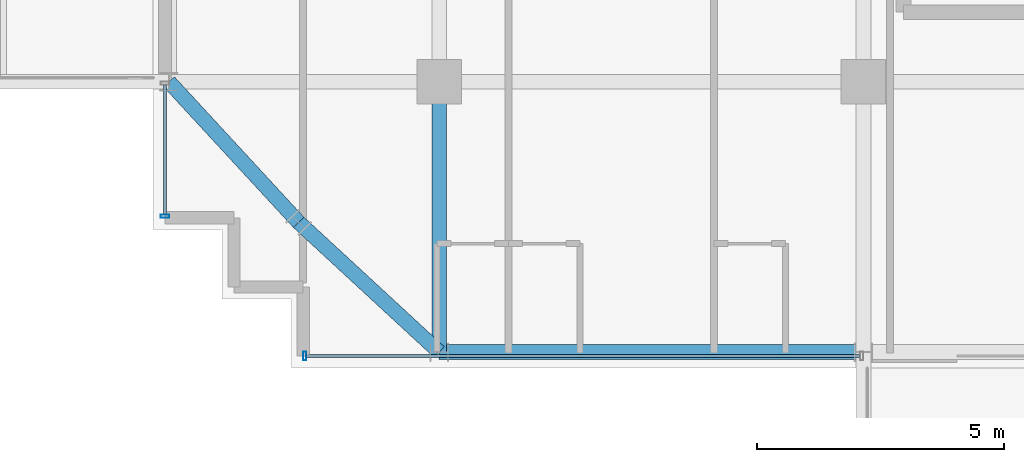
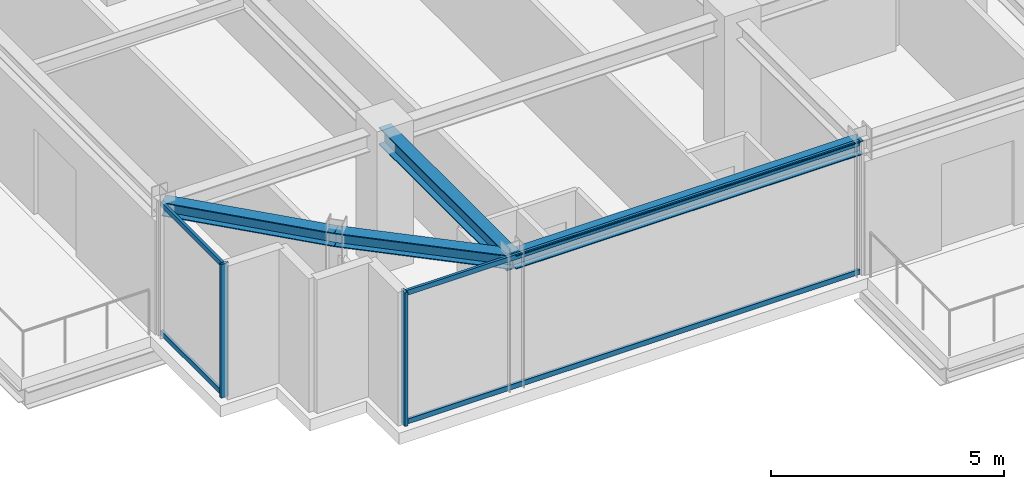
# One storey, part 4 of 31: 6 members, 4 beams, 2 elements without a shape of their own.
"""IFC4 building model written with IfcOpenShell, lengths in metres."""

from ifc_helpers import new_model, si_unit, direction, frame, origin, origin_2d, place, context, subcontext, project, spatial, hollow_rectangle, i_section, extrude, source, transform, mapped, material, material_profile, profile_set, type_object, element, aggregate, save


model = new_model("IFC4")

# Units and contexts
model_context = context("Model", 3, precision=1e-05, world=origin(), true_north=direction((0.0, 1.0)))
body_context = subcontext(model_context, "Body", "Model", "MODEL_VIEW")
ifc_project = project(units=[si_unit("LENGTHUNIT", "METRE"), si_unit("AREAUNIT", "SQUARE_METRE"), si_unit("VOLUMEUNIT", "CUBIC_METRE"), si_unit("PLANEANGLEUNIT", "RADIAN"), si_unit("MASSUNIT", "GRAM", prefix="KILO")], contexts=[model_context])

# Site, building, storey
site_placement = place(None, origin())
site = spatial("IfcSite", under=ifc_project, at=site_placement, CompositionType="ELEMENT")
building_placement = place(site_placement, origin())
building = spatial("IfcBuilding", under=site, at=building_placement, Name="Nahalor Promenade Grand Hotel", CompositionType="ELEMENT")
storey_placement = place(building_placement, frame((0.0, 0.0, 323.35009765625)))
storey = spatial("IfcBuildingStorey", under=building, at=storey_placement, Name="L83", CompositionType="ELEMENT", Elevation=323.35009765625)

# Beams
ifc_material_1 = material(Name="Steel S355JR", Category="steel")
ifc_material_profile_1 = material_profile(ifc_material_1, i_section(OverallWidth=0.3, OverallDepth=0.45, WebThickness=0.014, FlangeThickness=0.026, at=origin_2d()), Name="HEB 450")
ifc_profile_set_1 = profile_set([ifc_material_profile_1], Name="Steel S355JR")
beam_type_1 = type_object("IfcBeamType", Name="Beam-Girder-HEB450", PredefinedType="BEAM", material=ifc_profile_set_1)
shared_shape_1 = source(origin(), body_context, "Body", "SweptSolid", [
    extrude(i_section(OverallWidth=0.3, OverallDepth=0.45, WebThickness=0.014, FlangeThickness=0.026, at=origin_2d()), origin(), (0.0, 0.0, 1.0), 5.47998046875),
])
beam_1_placement = place(storey_placement, frame((-17.0, -22.47998046875, 3.27490234375), z_axis=(0.0, 1.0, 0.0), x_axis=(-1.0, 0.0, 0.0)))
element("IfcBeam", 1, at=beam_1_placement, inside=storey, type_object=beam_type_1, Name="BM-L83-GY-0-0", PredefinedType="BEAM", context=body_context, shape_type="MappedRepresentation", body=[
    mapped(shared_shape_1, transform((0.0, 0.0, 0.0), scale=1.0)),
])
ifc_material_profile_2 = material_profile(ifc_material_1, i_section(OverallWidth=0.3, OverallDepth=0.36, WebThickness=0.0125, FlangeThickness=0.0225, at=origin_2d()), Name="HEB 360")
ifc_profile_set_2 = profile_set([ifc_material_profile_2], Name="Steel S355JR")
beam_type_2 = type_object("IfcBeamType", Name="Beam-Spandrel-HEB360", PredefinedType="SPANDREL", material=ifc_profile_set_2)
shared_shape_2 = source(origin(), body_context, "Body", "SweptSolid", [
    extrude(i_section(OverallWidth=0.3, OverallDepth=0.36, WebThickness=0.0125, FlangeThickness=0.0225, at=origin_2d()), origin(), (0.0, 0.0, 1.0), 8.60009765625),
])
beam_2_placement = place(storey_placement, frame((-17.0, -22.47998046875, 3.31982421875), z_axis=(1.0, 0.0, 0.0), x_axis=(0.0, 1.0, 0.0)))
element("IfcBeam", 2, at=beam_2_placement, inside=storey, type_object=beam_type_2, Name="BM-L83-SP-S-0", PredefinedType="SPANDREL", context=body_context, shape_type="MappedRepresentation", body=[
    mapped(shared_shape_2, transform((0.0, 0.0, 0.0), scale=1.0)),
])
shared_shape_3 = source(origin(), body_context, "Body", "SweptSolid", [
    extrude(i_section(OverallWidth=0.3, OverallDepth=0.36, WebThickness=0.0125, FlangeThickness=0.0225, at=origin_2d()), origin(), (0.0, 0.0, 1.0), 3.878173828125),
])
for number, where, z_axis, x_axis, name in (
    (3, (-17.0, -22.47998046875, 3.31982421875), (-0.73492893846, 0.678144125843, 0.0), (-0.678144125843, -0.73492893846, 0.0), "BM-L83-SPC-SW-1"),
    (4, (-19.85009765625, -19.85009765625, 3.31982421875), (-0.678144125843, 0.73492893846, 0.0), (-0.73492893846, -0.678144125843, 0.0), "BM-L83-SPC-SW-2"),
):
    element("IfcBeam", number, at=place(storey_placement, frame(where, z_axis=z_axis, x_axis=x_axis)), inside=storey, type_object=beam_type_2, Name=name, PredefinedType="SPANDREL", context=body_context, shape_type="MappedRepresentation", body=[
        mapped(shared_shape_3, transform((0.0, 0.0, 0.0), scale=1.0)),
    ])

# Curtain wall, members
ifc_material_2 = material(Name="Anodised Bronze Aluminium EN AW-6063 T6", Category="aluminium")
curtain_wall_type = type_object("IfcCurtainWallType", Name="CW2 Typical Hotel Flush Bronze Unitised Curtain Wall", PredefinedType="USERDEFINED", material=ifc_material_2)
curtain_wall_1_placement = place(storey_placement, origin())
curtain_wall_1 = element("IfcCurtainWall", 5, at=curtain_wall_1_placement, inside=storey, type_object=curtain_wall_type, Name="L83 Curtain Wall CW-L83-W-1", ObjectType="UNITISED_CURTAIN_WALL", PredefinedType="USERDEFINED")
ifc_material_profile_3 = material_profile(ifc_material_2, hollow_rectangle(XDim=0.065, YDim=0.13, WallThickness=0.004, at=origin_2d()), Name="CWT 65x130x4")
ifc_profile_set_3 = profile_set([ifc_material_profile_3], Name="Anodised Bronze Aluminium EN AW-6063 T6")
member_type_1 = type_object("IfcMemberType", Name="CWT2 Typical Bronze Transom 65x130", PredefinedType="USERDEFINED", material=ifc_profile_set_3)
shared_shape_4 = source(origin(), body_context, "Body", "SweptSolid", [
    extrude(hollow_rectangle(XDim=0.065, YDim=0.13, WallThickness=0.004, at=origin_2d()), origin(), (0.0, 0.0, 1.0), 2.630126953125),
])
member_1_placement = place(storey_placement, frame((-22.56005859375, -19.695068359375, 0.06494140625), z_axis=(0.0, 1.0, 0.0), x_axis=(-1.0, 0.0, 0.0)))
member_1 = element("IfcMember", 6, at=member_1_placement, type_object=member_type_1, Name="CW-L83-W-1 Transom 0-0", ObjectType="TRANSOM", PredefinedType="USERDEFINED", context=body_context, shape_type="MappedRepresentation", body=[
    mapped(shared_shape_4, transform((0.0, 0.0, 0.0), scale=1.0)),
])
member_2_placement = place(storey_placement, frame((-22.56005859375, -19.695068359375, 3.434814453125), z_axis=(0.0, 1.0, 0.0), x_axis=(-1.0, 0.0, 0.0)))
member_2 = element("IfcMember", 7, at=member_2_placement, type_object=member_type_1, Name="CW-L83-W-1 Transom 0-1", ObjectType="TRANSOM", PredefinedType="USERDEFINED", context=body_context, shape_type="MappedRepresentation", body=[
    mapped(shared_shape_4, transform((0.0, 0.0, 0.0), scale=1.0)),
])

curtain_wall_2_placement = place(storey_placement, origin())
curtain_wall_2 = element("IfcCurtainWall", 8, at=curtain_wall_2_placement, inside=storey, type_object=curtain_wall_type, Name="L83 Curtain Wall CW-L83-S-1", ObjectType="UNITISED_CURTAIN_WALL", PredefinedType="USERDEFINED")
shared_shape_5 = source(origin(), body_context, "Body", "SweptSolid", [
    extrude(hollow_rectangle(XDim=0.065, YDim=0.13, WallThickness=0.004, at=origin_2d()), origin(), (0.0, 0.0, 1.0), 11.22998046875),
])
member_3_placement = place(storey_placement, frame((-19.695068359375, -22.56005859375, 0.06494140625), z_axis=(1.0, 0.0, 0.0), x_axis=(0.0, 1.0, 0.0)))
member_3 = element("IfcMember", 9, at=member_3_placement, type_object=member_type_1, Name="CW-L83-S-1 Transom 0-0", ObjectType="TRANSOM", PredefinedType="USERDEFINED", context=body_context, shape_type="MappedRepresentation", body=[
    mapped(shared_shape_5, transform((0.0, 0.0, 0.0), scale=1.0)),
])
member_4_placement = place(storey_placement, frame((-19.695068359375, -22.56005859375, 3.434814453125), z_axis=(1.0, 0.0, 0.0), x_axis=(0.0, 1.0, 0.0)))
member_4 = element("IfcMember", 10, at=member_4_placement, type_object=member_type_1, Name="CW-L83-S-1 Transom 0-1", ObjectType="TRANSOM", PredefinedType="USERDEFINED", context=body_context, shape_type="MappedRepresentation", body=[
    mapped(shared_shape_5, transform((0.0, 0.0, 0.0), scale=1.0)),
])
ifc_material_profile_4 = material_profile(ifc_material_2, hollow_rectangle(XDim=0.065, YDim=0.18, WallThickness=0.004, at=origin_2d()), Name="CWM 65x180x4")
ifc_profile_set_4 = profile_set([ifc_material_profile_4], Name="Anodised Bronze Aluminium EN AW-6063 T6")
member_type_2 = type_object("IfcMemberType", Name="CWM2 Typical Bronze Mullion 65x180", PredefinedType="MULLION", material=ifc_profile_set_4)
shared_shape_6 = source(origin(), body_context, "Body", "SweptSolid", [
    extrude(hollow_rectangle(XDim=0.065, YDim=0.18, WallThickness=0.004, at=origin_2d()), origin(), (0.0, 0.0, 1.0), 3.5),
])
member_5_placement = place(storey_placement, frame((-19.7275390625, -22.56005859375, 0.0), z_axis=(0.0, 0.0, 1.0), x_axis=(1.0, 0.0, 0.0)))
member_5 = element("IfcMember", 11, at=member_5_placement, type_object=member_type_2, Name="CW-L83-S-1 Mullion 0", PredefinedType="MULLION", context=body_context, shape_type="MappedRepresentation", body=[
    mapped(shared_shape_6, transform((0.0, 0.0, 0.0), scale=1.0)),
])
aggregate(curtain_wall_2, [member_5, member_3, member_4])

# Member
member_6_placement = place(storey_placement, frame((-22.56005859375, -19.7275390625, 0.0), z_axis=(0.0, 0.0, 1.0), x_axis=(0.0, 1.0, 0.0)))
member_6 = element("IfcMember", 12, at=member_6_placement, type_object=member_type_2, Name="CW-L83-W-1 Mullion 0", PredefinedType="MULLION", context=body_context, shape_type="MappedRepresentation", body=[
    mapped(shared_shape_6, transform((0.0, 0.0, 0.0), scale=1.0)),
])

aggregate(curtain_wall_1, [member_6, member_1, member_2])

save(model, "model.ifc")
